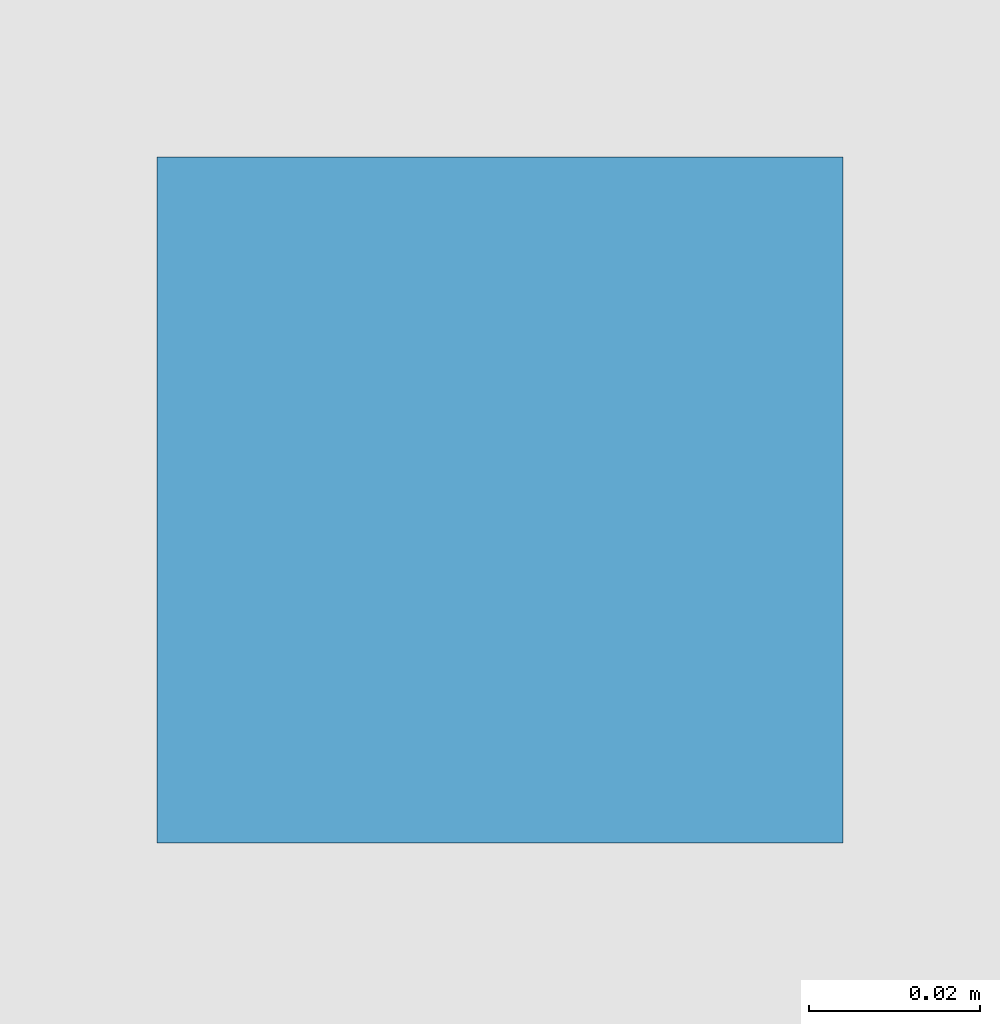
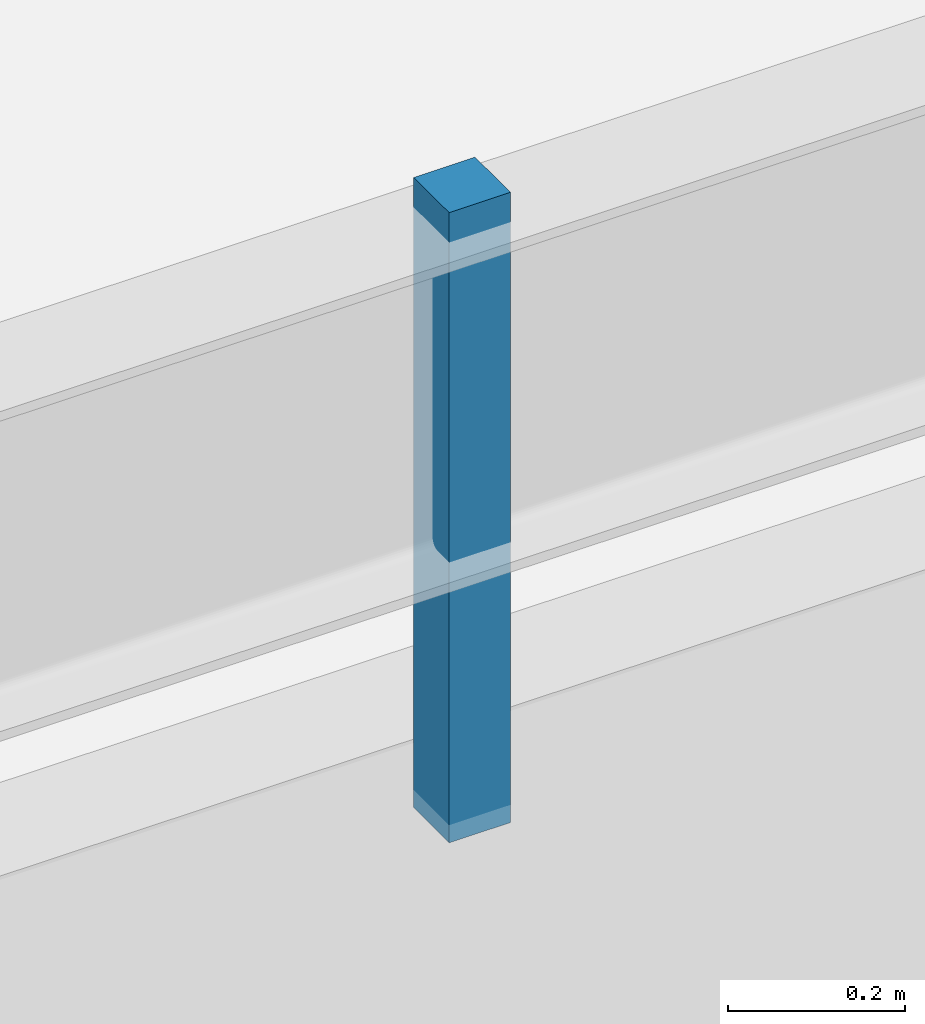
# One storey, part 114 of 128: 1 discrete accessory.
"""IFC4 building model written with IfcOpenShell, lengths in metres."""

from ifc_helpers import new_model, si_unit, direction, frame, origin, origin_2d, place, context, subcontext, project, spatial, rectangle, extrude, material, type_object, element, save


model = new_model("IFC4")

# Units and contexts
model_context = context("Model", 3, precision=1e-05, world=origin(), true_north=direction((0.0, 1.0)))
body_context = subcontext(model_context, "Body", "Model", "MODEL_VIEW")
ifc_project = project(units=[si_unit("LENGTHUNIT", "METRE"), si_unit("AREAUNIT", "SQUARE_METRE"), si_unit("VOLUMEUNIT", "CUBIC_METRE"), si_unit("PLANEANGLEUNIT", "RADIAN"), si_unit("MASSUNIT", "GRAM", prefix="KILO")], contexts=[model_context])

# Site, building, storey
site_placement = place(None, origin())
site = spatial("IfcSite", under=ifc_project, at=site_placement, CompositionType="ELEMENT")
building_placement = place(site_placement, origin())
building = spatial("IfcBuilding", under=site, at=building_placement, Name="Solmirada Galleria", CompositionType="ELEMENT")
storey_placement = place(building_placement, origin())
storey = spatial("IfcBuildingStorey", under=building, at=storey_placement, Name="L00", CompositionType="ELEMENT", Elevation=0.0)

# Discrete accessory
ifc_material = material(Name="Steel S355 / ASTM A992 Grade 50", Category="steel")
discrete_accessory_type = type_object("IfcDiscreteAccessoryType", Name="ACC-CEIL-HANGER", PredefinedType="BRACKET", material=ifc_material)
discrete_accessory_placement = place(storey_placement, frame((52.0, 100.0, 4.550048828125), z_axis=(0.0, 0.0, 1.0), x_axis=(1.0, 0.0, 0.0)))
element("IfcDiscreteAccessory", 1, at=discrete_accessory_placement, inside=storey, type_object=discrete_accessory_type, Name="Ceiling suspension hanger L00-1", PredefinedType="BRACKET", context=body_context, shape_type="SweptSolid", body=[
    extrude(rectangle(XDim=0.080078125, YDim=0.080078125, at=origin_2d()), origin(), (0.0, 0.0, 1.0), 0.8701171875),
])

save(model, "model.ifc")
